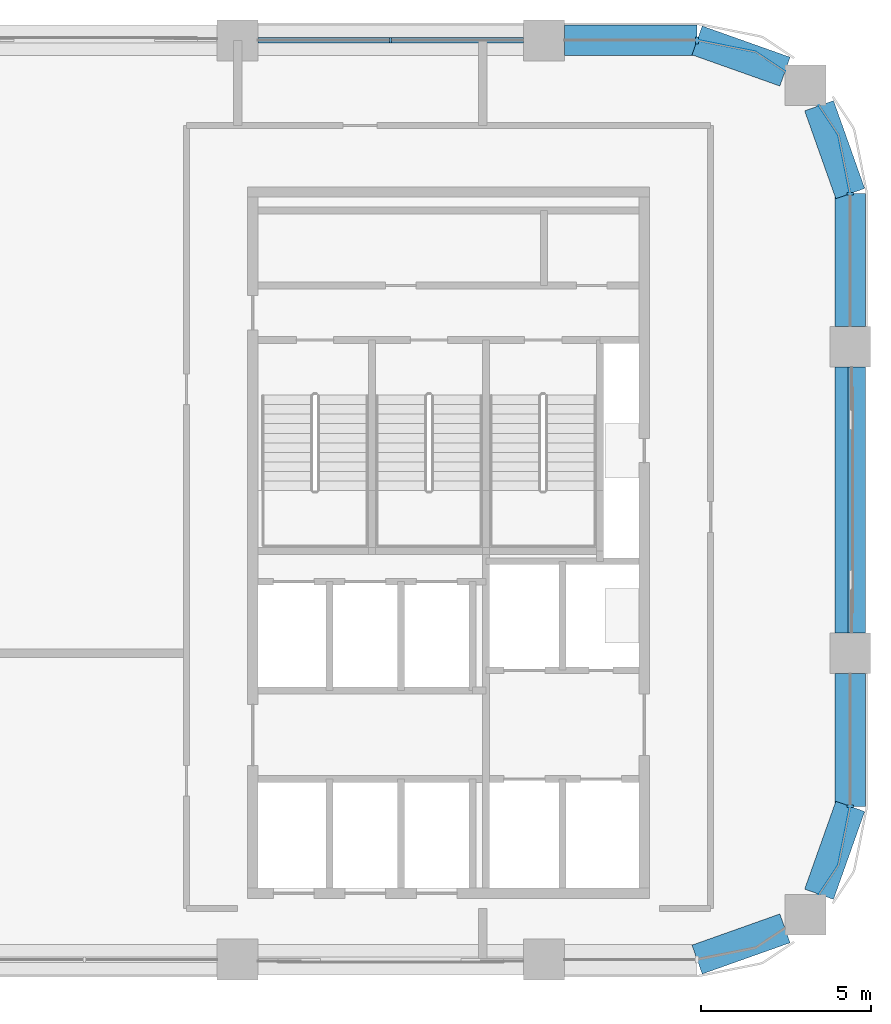
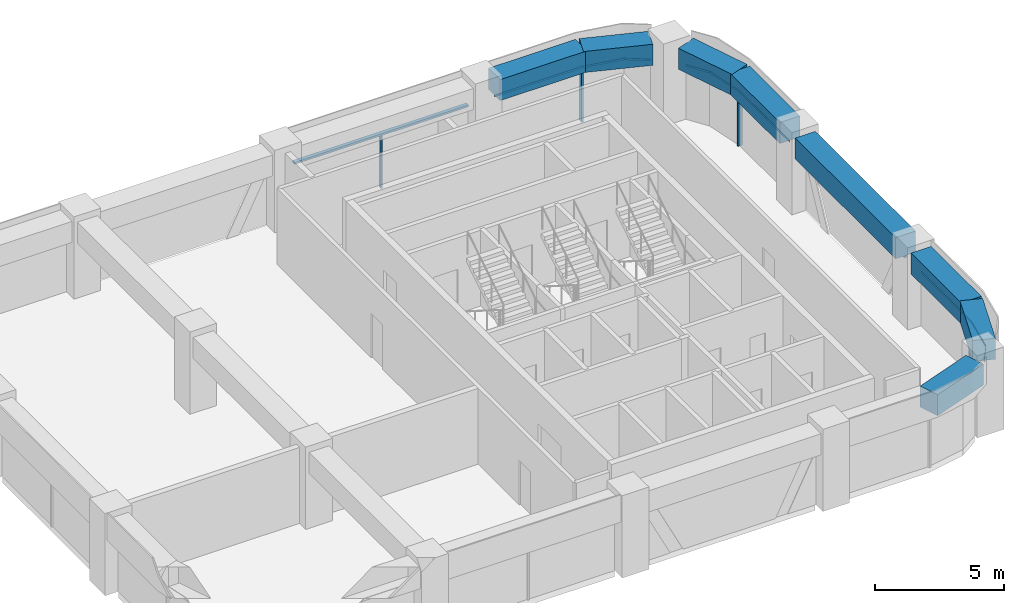
# One storey, part 4 of 9: 9 members, 8 beams, 5 elements without a shape of their own.
"""IFC4 building model written with IfcOpenShell, lengths in metres."""

from ifc_helpers import new_model, si_unit, direction, frame, origin, origin_2d, place, context, subcontext, project, spatial, polyline, rectangle, outline, extrude, material, material_profile, profile_set, type_object, element, aggregate, save


model = new_model("IFC4")

# Units and contexts
model_context = context("Model", 3, precision=1e-05, world=origin(), true_north=direction((0.0, 1.0)))
body_context = subcontext(model_context, "Body", "Model", "MODEL_VIEW")
ifc_project = project(units=[si_unit("LENGTHUNIT", "METRE"), si_unit("AREAUNIT", "SQUARE_METRE"), si_unit("VOLUMEUNIT", "CUBIC_METRE"), si_unit("PLANEANGLEUNIT", "RADIAN"), si_unit("MASSUNIT", "GRAM", prefix="KILO")], contexts=[model_context])

# Site, building, storey
site_placement = place(None, origin())
site = spatial("IfcSite", under=ifc_project, at=site_placement, CompositionType="ELEMENT")
building_placement = place(site_placement, origin())
building = spatial("IfcBuilding", under=site, at=building_placement, Name="Tessera Arch", CompositionType="ELEMENT")
storey_placement = place(building_placement, frame((0.0, 0.0, 312.89990234375)))
storey = spatial("IfcBuildingStorey", under=building, at=storey_placement, Name="L75", CompositionType="ELEMENT", Elevation=312.89990234375)

# Curtain wall, members
ifc_material_1 = material(Name="CW1 curtain wall")
curtain_wall_type_1 = type_object("IfcCurtainWallType", Name="CW1 curtain wall", PredefinedType="NOTDEFINED", material=ifc_material_1)
curtain_wall_1_placement = place(storey_placement, origin())
curtain_wall_1 = element("IfcCurtainWall", 1, at=curtain_wall_1_placement, inside=storey, type_object=curtain_wall_type_1, Name="CW1 curtain wall N54.18/1 L75", PredefinedType="NOTDEFINED")
ifc_material_2 = material(Name="Anodised aluminium pale metal", Category="aluminium")
ifc_material_profile_1 = material_profile(ifc_material_2, rectangle(XDim=0.159912109375, YDim=0.06005859375, at=origin_2d()), Name="AL 60x160")
ifc_profile_set_1 = profile_set([ifc_material_profile_1], Name="Anodised aluminium pale metal")
member_type_1 = type_object("IfcMemberType", Name="CW1 mullion", PredefinedType="MULLION", material=ifc_profile_set_1)
member_1_placement = place(storey_placement, frame((40.5, 54.0, 0.0), z_axis=(0.0, 0.0, 1.0), x_axis=(0.0, -1.0, 0.0)))
member_1 = element("IfcMember", 2, at=member_1_placement, type_object=member_type_1, Name="CW1 mullion N54.18/1 1", PredefinedType="MULLION", context=body_context, shape_type="SweptSolid", body=[
    extrude(rectangle(XDim=0.159912109375, YDim=0.06005859375, at=origin_2d()), origin(), (0.0, 0.0, 1.0), 2.5),
])
ifc_material_3 = material(Name="Anodised aluminium pale metal", Category="aluminium")
ifc_material_profile_2 = material_profile(ifc_material_3, rectangle(XDim=0.159912109375, YDim=0.10009765625, at=origin_2d()), Name="AL 160x100")
ifc_profile_set_2 = profile_set([ifc_material_profile_2], Name="Anodised aluminium pale metal")
member_type_2 = type_object("IfcMemberType", Name="CW1 transom", PredefinedType="USERDEFINED", material=ifc_profile_set_2)
member_2_placement = place(storey_placement, frame((44.39990234375, 54.0, 2.550048828125), z_axis=(-1.0, 0.0, 0.0), x_axis=(0.0, -1.0, 0.0)))
member_2 = element("IfcMember", 3, at=member_2_placement, type_object=member_type_2, Name="CW1 transom N54.18/1 1.1", ObjectType="TRANSOM", PredefinedType="USERDEFINED", context=body_context, shape_type="SweptSolid", body=[
    extrude(rectangle(XDim=0.159912109375, YDim=0.10009765625, at=origin_2d()), origin(), (0.0, 0.0, 1.0), 7.7998046875),
])
aggregate(curtain_wall_1, [member_1, member_2])

# Curtain wall, member
ifc_material_4 = material(Name="CW2 curtain wall")
curtain_wall_type_2 = type_object("IfcCurtainWallType", Name="CW2 curtain wall", PredefinedType="NOTDEFINED", material=ifc_material_4)
curtain_wall_2_placement = place(storey_placement, origin())
curtain_wall_2 = element("IfcCurtainWall", 4, at=curtain_wall_2_placement, inside=storey, type_object=curtain_wall_type_2, Name="CW2 curtain wall E54.27/1 L75", PredefinedType="NOTDEFINED")
ifc_material_5 = material(Name="Anodised aluminium pale metal", Category="aluminium")
ifc_material_profile_3 = material_profile(ifc_material_5, rectangle(XDim=0.199951171875, YDim=0.080078125, at=origin_2d()), Name="AL 80x200")
ifc_profile_set_3 = profile_set([ifc_material_profile_3], Name="Anodised aluminium pale metal")
member_type_3 = type_object("IfcMemberType", Name="CW2 mullion", PredefinedType="MULLION", material=ifc_profile_set_3)
member_3_placement = place(storey_placement, frame((54.0, 49.5, 0.0), z_axis=(0.0, 0.0, 1.0), x_axis=(-1.0, 0.0, 0.0)))
member_3 = element("IfcMember", 5, at=member_3_placement, type_object=member_type_3, Name="CW2 mullion E54.27/1 1", PredefinedType="MULLION", context=body_context, shape_type="SweptSolid", body=[
    extrude(rectangle(XDim=0.199951171875, YDim=0.080078125, at=origin_2d()), origin(), (0.0, 0.0, 1.0), 2.5),
])

curtain_wall_3_placement = place(storey_placement, origin())
curtain_wall_3 = element("IfcCurtainWall", 6, at=curtain_wall_3_placement, inside=storey, type_object=curtain_wall_type_2, Name="CW2 curtain wall N54.18/0 L75", PredefinedType="NOTDEFINED")
member_4_placement = place(storey_placement, frame((49.5, 54.0, 0.0), z_axis=(0.0, 0.0, 1.0), x_axis=(0.0, -1.0, 0.0)))
member_4 = element("IfcMember", 7, at=member_4_placement, type_object=member_type_3, Name="CW2 mullion N54.18/0 1", PredefinedType="MULLION", context=body_context, shape_type="SweptSolid", body=[
    extrude(rectangle(XDim=0.199951171875, YDim=0.080078125, at=origin_2d()), origin(), (0.0, 0.0, 1.0), 2.5),
])

curtain_wall_4_placement = place(storey_placement, origin())
curtain_wall_4 = element("IfcCurtainWall", 8, at=curtain_wall_4_placement, inside=storey, type_object=curtain_wall_type_2, Name="CW2 curtain wall E54.27/2 L75", PredefinedType="NOTDEFINED")
member_5_placement = place(storey_placement, frame((54.0, 31.5, 0.0), z_axis=(0.0, 0.0, 1.0), x_axis=(-1.0, 0.0, 0.0)))
member_5 = element("IfcMember", 9, at=member_5_placement, type_object=member_type_3, Name="CW2 mullion E54.27/2 1", PredefinedType="MULLION", context=body_context, shape_type="SweptSolid", body=[
    extrude(rectangle(XDim=0.199951171875, YDim=0.080078125, at=origin_2d()), origin(), (0.0, 0.0, 1.0), 2.5),
])

# Member
ifc_material_6 = material(Name="Anodised aluminium pale metal", Category="aluminium")
ifc_material_profile_4 = material_profile(ifc_material_6, rectangle(XDim=0.199951171875, YDim=0.10009765625, at=origin_2d()), Name="AL 200x100")
ifc_profile_set_4 = profile_set([ifc_material_profile_4], Name="Anodised aluminium pale metal")
member_type_4 = type_object("IfcMemberType", Name="CW2 transom", PredefinedType="USERDEFINED", material=ifc_profile_set_4)
member_6_placement = place(storey_placement, frame((0.0, 0.0, 2.5)))
member_6 = element("IfcMember", 10, at=member_6_placement, type_object=member_type_4, Name="CW2 transom E54.27/1 1", ObjectType="TRANSOM", PredefinedType="USERDEFINED", context=body_context, shape_type="SweptSolid", body=[
    extrude(outline(polyline([(53.989990234375, 49.4990234375), (53.989990234375, 45.60009765625), (54.010009765625, 45.60009765625), (54.010009765625, 49.5009765625), (53.6669921875, 51.22607421875), (53.09130859375, 52.087646484375), (53.07470703125, 52.076416015625), (53.648193359375, 51.21826171875), (53.989990234375, 49.4990234375)])), origin(), (0.0, 0.0, 1.0), 0.10009765625),
])

aggregate(curtain_wall_2, [member_3, member_6])

member_7_placement = place(storey_placement, frame((0.0, 0.0, 2.5)))
member_7 = element("IfcMember", 11, at=member_7_placement, type_object=member_type_4, Name="CW2 transom N54.18/0 1", ObjectType="TRANSOM", PredefinedType="USERDEFINED", context=body_context, shape_type="SweptSolid", body=[
    extrude(outline(polyline([(51.21826171875, 53.648193359375), (52.076416015625, 53.07470703125), (52.087646484375, 53.09130859375), (51.22607421875, 53.6669921875), (49.5009765625, 54.010009765625), (45.60009765625, 54.010009765625), (45.60009765625, 53.989990234375), (49.4990234375, 53.989990234375), (51.21826171875, 53.648193359375)])), origin(), (0.0, 0.0, 1.0), 0.10009765625),
])

aggregate(curtain_wall_3, [member_4, member_7])

member_8_placement = place(storey_placement, frame((0.0, 0.0, 2.5)))
member_8 = element("IfcMember", 12, at=member_8_placement, type_object=member_type_4, Name="CW2 transom E54.27/2 1", ObjectType="TRANSOM", PredefinedType="USERDEFINED", context=body_context, shape_type="SweptSolid", body=[
    extrude(outline(polyline([(53.648193359375, 29.78173828125), (53.07470703125, 28.923583984375), (53.09130859375, 28.912353515625), (53.6669921875, 29.77392578125), (54.010009765625, 31.4990234375), (54.010009765625, 35.39990234375), (53.989990234375, 35.39990234375), (53.989990234375, 31.5009765625), (53.648193359375, 29.78173828125)])), origin(), (0.0, 0.0, 1.0), 0.10009765625),
])

aggregate(curtain_wall_4, [member_5, member_8])

# Curtain wall, member
ifc_material_7 = material(Name="CW3 curtain wall")
curtain_wall_type_3 = type_object("IfcCurtainWallType", Name="CW3 curtain wall", PredefinedType="NOTDEFINED", material=ifc_material_7)
curtain_wall_5_placement = place(storey_placement, origin())
curtain_wall_5 = element("IfcCurtainWall", 13, at=curtain_wall_5_placement, inside=storey, type_object=curtain_wall_type_3, Name="CW3 curtain wall E54.27/0 L75", PredefinedType="NOTDEFINED")
ifc_material_8 = material(Name="Anodised aluminium pale metal", Category="aluminium")
ifc_material_profile_5 = material_profile(ifc_material_8, rectangle(XDim=0.139892578125, YDim=0.10009765625, at=origin_2d()), Name="AL 140x100")
ifc_profile_set_5 = profile_set([ifc_material_profile_5], Name="Anodised aluminium pale metal")
member_type_5 = type_object("IfcMemberType", Name="CW3 transom", PredefinedType="USERDEFINED", material=ifc_profile_set_5)
member_9_placement = place(storey_placement, frame((54.0, 36.60009765625, 2.550048828125), z_axis=(0.0, 1.0, 0.0), x_axis=(-1.0, 0.0, 0.0)))
member_9 = element("IfcMember", 14, at=member_9_placement, type_object=member_type_5, Name="CW3 transom E54.27/0 1.1", ObjectType="TRANSOM", PredefinedType="USERDEFINED", context=body_context, shape_type="SweptSolid", body=[
    extrude(rectangle(XDim=0.139892578125, YDim=0.10009765625, at=origin_2d()), origin(), (0.0, 0.0, 1.0), 7.7998046875),
])
aggregate(curtain_wall_5, [member_9])

# Beams
ifc_material_9 = material(Name="Concrete C60/75", Category="concrete")
ifc_material_profile_6 = material_profile(ifc_material_9, rectangle(XDim=0.89990234375, YDim=1.0, at=origin_2d()), Name="RC spandrel beam 900 x 1000 Concrete C60/75")
ifc_profile_set_6 = profile_set([ifc_material_profile_6], Name="Concrete C60/75")
beam_type = type_object("IfcBeamType", Name="RC spandrel beam 900 x 1000 Concrete C60/75", PredefinedType="BEAM", material=ifc_profile_set_6)
beam_1_placement = place(storey_placement, frame((54.0, 36.60009765625, 3.10009765625), z_axis=(0.0, 1.0, 0.0), x_axis=(-1.0, 0.0, 0.0)))
element("IfcBeam", 15, at=beam_1_placement, inside=storey, type_object=beam_type, Name="Spandrel beam L75 E54.27/0", PredefinedType="BEAM", context=body_context, shape_type="SweptSolid", body=[
    extrude(rectangle(XDim=0.89990234375, YDim=1.0, at=origin_2d()), origin(), (0.0, 0.0, 1.0), 7.7998046875),
])
beam_2_placement = place(storey_placement, frame((54.0, 45.60009765625, 3.10009765625), z_axis=(0.0, 1.0, 0.0), x_axis=(-1.0, 0.0, 0.0)))
element("IfcBeam", 16, at=beam_2_placement, inside=storey, type_object=beam_type, Name="Spandrel beam L75 E54.27/1.1", PredefinedType="BEAM", context=body_context, shape_type="SweptSolid", body=[
    extrude(rectangle(XDim=0.89990234375, YDim=1.0, at=origin_2d()), origin(), (0.0, 0.0, 1.0), 3.89990234375),
])
for number, where, z_axis, x_axis, name in (
    (17, (54.0, 49.5, 3.10009765625), (-0.334665114373, 0.942337127159, 0.0), (-0.942337127159, -0.334665114373, 0.0), "Spandrel beam L75 E54.27/1.2"),
    (18, (52.08203125, 53.0830078125, 3.10009765625), (-0.942337127159, 0.334665114373, 0.0), (-0.334665114373, -0.942337127159, 0.0), "Spandrel beam L75 N54.18/0.1"),
):
    element("IfcBeam", number, at=place(storey_placement, frame(where, z_axis=z_axis, x_axis=x_axis)), inside=storey, type_object=beam_type, Name=name, PredefinedType="BEAM", context=body_context, shape_type="SweptSolid", body=[
        extrude(rectangle(XDim=0.89990234375, YDim=1.0, at=origin_2d()), origin(), (0.0, 0.0, 1.0), 2.739990234375),
    ])
beam_3_placement = place(storey_placement, frame((49.5, 54.0, 3.10009765625), z_axis=(-1.0, 0.0, 0.0), x_axis=(0.0, -1.0, 0.0)))
element("IfcBeam", 19, at=beam_3_placement, inside=storey, type_object=beam_type, Name="Spandrel beam L75 N54.18/0.2", PredefinedType="BEAM", context=body_context, shape_type="SweptSolid", body=[
    extrude(rectangle(XDim=0.89990234375, YDim=1.0, at=origin_2d()), origin(), (0.0, 0.0, 1.0), 3.89990234375),
])
for number, where, z_axis, x_axis, name in (
    (20, (49.5, 27.0, 3.10009765625), (0.942337127159, 0.334665114373, 0.0), (-0.334665114373, 0.942337127159, 0.0), "Spandrel beam L75 S27.18/3.2"),
    (21, (53.0830078125, 28.91796875, 3.10009765625), (0.334665114373, 0.942337127159, 0.0), (-0.942337127159, 0.334665114373, 0.0), "Spandrel beam L75 E54.27/2.1"),
):
    element("IfcBeam", number, at=place(storey_placement, frame(where, z_axis=z_axis, x_axis=x_axis)), inside=storey, type_object=beam_type, Name=name, PredefinedType="BEAM", context=body_context, shape_type="SweptSolid", body=[
        extrude(rectangle(XDim=0.89990234375, YDim=1.0, at=origin_2d()), origin(), (0.0, 0.0, 1.0), 2.739990234375),
    ])
beam_4_placement = place(storey_placement, frame((54.0, 31.5, 3.10009765625), z_axis=(0.0, 1.0, 0.0), x_axis=(-1.0, 0.0, 0.0)))
element("IfcBeam", 22, at=beam_4_placement, inside=storey, type_object=beam_type, Name="Spandrel beam L75 E54.27/2.2", PredefinedType="BEAM", context=body_context, shape_type="SweptSolid", body=[
    extrude(rectangle(XDim=0.89990234375, YDim=1.0, at=origin_2d()), origin(), (0.0, 0.0, 1.0), 3.89990234375),
])

save(model, "model.ifc")
